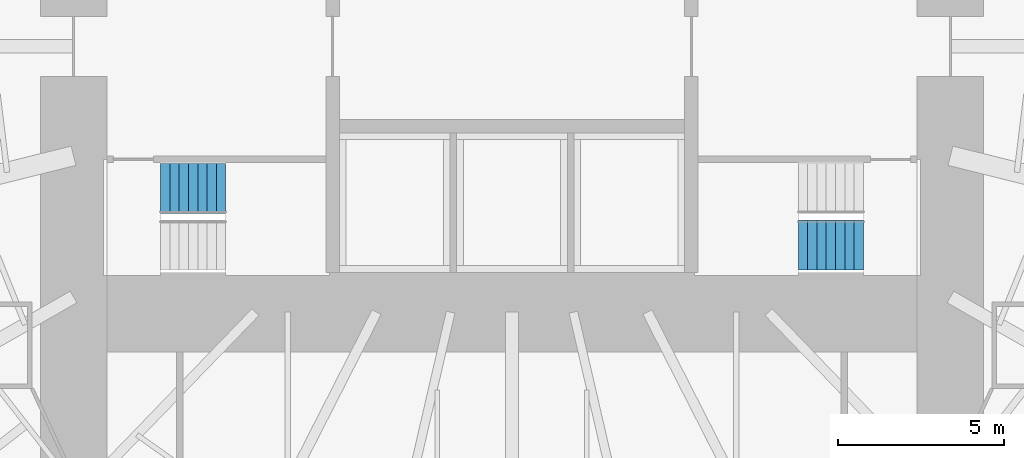
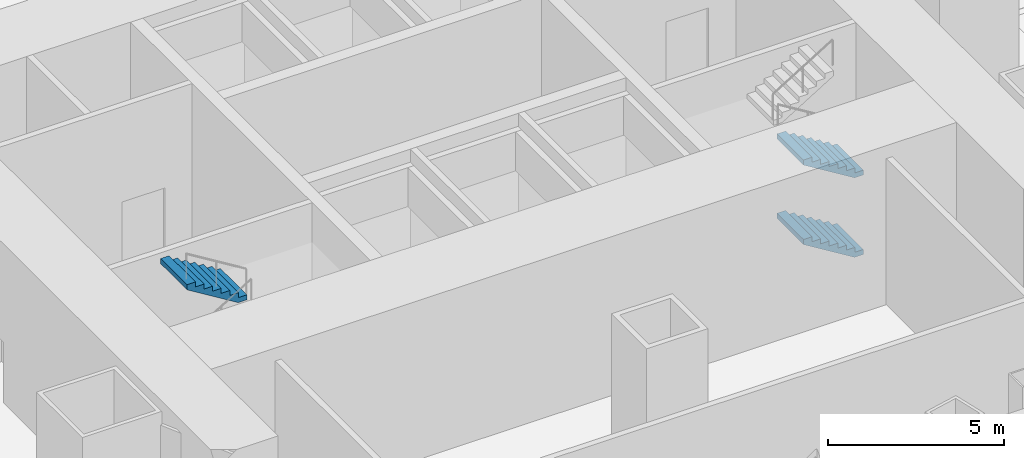
# One storey, part 16 of 19: 3 stair flights, 2 elements without a shape of their own.
"""IFC4 building model written with IfcOpenShell, lengths in metres."""

from ifc_helpers import new_model, si_unit, direction, frame, origin, place, context, subcontext, project, spatial, triangles, material, type_object, element, aggregate, save


model = new_model("IFC4")

# Units and contexts
model_context = context("Model", 3, precision=1e-05, world=origin(), true_north=direction((0.0, 1.0)))
body_context = subcontext(model_context, "Body", "Model", "MODEL_VIEW")
ifc_project = project(units=[si_unit("LENGTHUNIT", "METRE"), si_unit("AREAUNIT", "SQUARE_METRE"), si_unit("VOLUMEUNIT", "CUBIC_METRE"), si_unit("PLANEANGLEUNIT", "RADIAN"), si_unit("MASSUNIT", "GRAM", prefix="KILO")], contexts=[model_context])

# Site, building, storey
site_placement = place(None, origin())
site = spatial("IfcSite", under=ifc_project, at=site_placement, CompositionType="ELEMENT")
building_placement = place(site_placement, origin())
building = spatial("IfcBuilding", under=site, at=building_placement, Name="Lantaw Convention Tower", CompositionType="ELEMENT")
storey_placement = place(building_placement, frame((0.0, 0.0, -5.5)))
storey = spatial("IfcBuildingStorey", under=building, at=storey_placement, Name="B1", CompositionType="ELEMENT", Elevation=-5.5)

# Stair, stair flight
ifc_material = material(Name="Concrete C35/45", Category="concrete")
stair_type = type_object("IfcStairType", Name="Exit stair 1500 riser 171.88 in 4 flights", PredefinedType="HALF_TURN_STAIR", material=ifc_material)
stair_1_placement = place(storey_placement, origin())
stair_1 = element("IfcStair", 1, at=stair_1_placement, inside=storey, type_object=stair_type, Name="Exit stair S1 B1", PredefinedType="HALF_TURN_STAIR")
stair_flight_type = type_object("IfcStairFlightType", Name="Stair flight 1500 riser 171.88", PredefinedType="STRAIGHT", material=ifc_material)
stair_flight_1_placement = place(storey_placement, frame((-8.6201171875, -4.280029296875, 4.125), z_axis=(0.0, 0.0, 1.0), x_axis=(-1.0, 0.0, 0.0)))
stair_flight_1 = element("IfcStairFlight", 2, at=stair_flight_1_placement, type_object=stair_flight_type, Name="S1 flight 4", NumberOfRisers=8, NumberOfTreads=7, PredefinedType="STRAIGHT", RiserHeight=0.171875, TreadLength=0.28, context=body_context, shape_type="Tessellation", body=[
    triangles([(0.0, 0.75, 0.0), (0.0, 0.75, 0.171875), (0.28, 0.75, 0.0), (0.28, 0.75, 0.171875), (0.28, 0.75, 0.34375), (0.286542444818223, 0.75, 0.0), (0.286542444818223, 0.75, 0.34375), (0.56, 0.75, 0.1678589903459569), (0.56, 0.75, 0.34375), (0.56, 0.75, 0.515625), (0.8400000000000001, 0.75, 0.3397339903459569), (0.8400000000000001, 0.75, 0.515625), (0.8400000000000001, 0.75, 0.6875), (1.12, 0.75, 0.511608990345957), (1.12, 0.75, 0.6875), (1.12, 0.75, 0.859375), (1.4000000000000001, 0.75, 0.683483990345957), (1.4000000000000001, 0.75, 0.859375), (1.4000000000000001, 0.75, 1.03125), (1.6800000000000002, 0.75, 0.855358990345957), (1.6800000000000002, 0.75, 1.03125), (1.6800000000000002, 0.75, 1.203125), (1.9600000000000002, 0.75, 1.0272339903459569), (1.9600000000000002, 0.75, 1.203125), (0.0, -0.75, 0.0), (0.0, -0.75, 0.171875), (0.28, -0.75, 0.0), (0.28, -0.75, 0.171875), (0.28, -0.75, 0.34375), (0.286542444818223, -0.75, 0.0), (0.286542444818223, -0.75, 0.34375), (0.56, -0.75, 0.1678589903459569), (0.56, -0.75, 0.34375), (0.56, -0.75, 0.515625), (0.8400000000000001, -0.75, 0.3397339903459569), (0.8400000000000001, -0.75, 0.515625), (0.8400000000000001, -0.75, 0.6875), (1.12, -0.75, 0.511608990345957), (1.12, -0.75, 0.6875), (1.12, -0.75, 0.859375), (1.4000000000000001, -0.75, 0.683483990345957), (1.4000000000000001, -0.75, 0.859375), (1.4000000000000001, -0.75, 1.03125), (1.6800000000000002, -0.75, 0.855358990345957), (1.6800000000000002, -0.75, 1.03125), (1.6800000000000002, -0.75, 1.203125), (1.9600000000000002, -0.75, 1.0272339903459569), (1.9600000000000002, -0.75, 1.203125), (0.0, 0.15000000000000002, 0.171875), (0.0, 0.15000000000000002, 0.0), (0.0, 0.0, 0.171875), (0.0, 0.0, 0.0), (0.0, -0.15000000000000002, 0.171875), (0.0, -0.15000000000000002, 0.0), (0.28, 0.15000000000000002, 0.34375), (0.28, 0.15000000000000002, 0.171875), (0.28, 0.0, 0.34375), (0.28, 0.0, 0.171875), (0.28, -0.15000000000000002, 0.34375), (0.28, -0.15000000000000002, 0.171875), (0.56, 0.15000000000000002, 0.515625), (0.56, 0.15000000000000002, 0.34375), (0.56, 0.0, 0.515625), (0.56, 0.0, 0.34375), (0.56, -0.15000000000000002, 0.515625), (0.56, -0.15000000000000002, 0.34375), (0.8400000000000001, 0.15000000000000002, 0.6875), (0.8400000000000001, 0.15000000000000002, 0.515625), (0.8400000000000001, 0.0, 0.6875), (0.8400000000000001, 0.0, 0.515625), (0.8400000000000001, -0.15000000000000002, 0.6875), (0.8400000000000001, -0.15000000000000002, 0.515625), (1.12, 0.15000000000000002, 0.859375), (1.12, 0.15000000000000002, 0.6875), (1.12, 0.0, 0.859375), (1.12, 0.0, 0.6875), (1.12, -0.15000000000000002, 0.859375), (1.12, -0.15000000000000002, 0.6875), (1.4000000000000001, 0.15000000000000002, 1.03125), (1.4000000000000001, 0.15000000000000002, 0.859375), (1.4000000000000001, 0.0, 1.03125), (1.4000000000000001, 0.0, 0.859375), (1.4000000000000001, -0.15000000000000002, 1.03125), (1.4000000000000001, -0.15000000000000002, 0.859375), (1.6800000000000002, 0.15000000000000002, 1.203125), (1.6800000000000002, 0.15000000000000002, 1.03125), (1.6800000000000002, 0.0, 1.203125), (1.6800000000000002, 0.0, 1.03125), (1.6800000000000002, -0.15000000000000002, 1.203125), (1.6800000000000002, -0.15000000000000002, 1.03125), (0.286542444818223, 0.15000000000000002, 0.34375), (0.286542444818223, 0.0, 0.34375), (0.286542444818223, -0.15000000000000002, 0.34375), (1.9600000000000002, 0.15000000000000002, 1.203125), (1.9600000000000002, 0.0, 1.203125), (1.9600000000000002, -0.15000000000000002, 1.203125), (1.9600000000000002, 0.15000000000000002, 1.0272339903459569), (1.9600000000000002, 0.0, 1.0272339903459569), (1.9600000000000002, -0.15000000000000002, 1.0272339903459569), (1.6800000000000002, 0.15000000000000002, 0.855358990345957), (1.6800000000000002, 0.0, 0.855358990345957), (1.6800000000000002, -0.15000000000000002, 0.855358990345957), (1.4000000000000001, 0.15000000000000002, 0.683483990345957), (1.4000000000000001, 0.0, 0.683483990345957), (1.4000000000000001, -0.15000000000000002, 0.683483990345957), (1.12, 0.15000000000000002, 0.511608990345957), (1.12, 0.0, 0.511608990345957), (1.12, -0.15000000000000002, 0.511608990345957), (0.8400000000000001, 0.15000000000000002, 0.3397339903459569), (0.8400000000000001, 0.0, 0.3397339903459569), (0.8400000000000001, -0.15000000000000002, 0.3397339903459569), (0.56, 0.15000000000000002, 0.1678589903459569), (0.56, 0.0, 0.1678589903459569), (0.56, -0.15000000000000002, 0.1678589903459569), (0.286542444818223, 0.15000000000000002, 0.0), (0.286542444818223, 0.0, 0.0), (0.286542444818223, -0.15000000000000002, 0.0), (0.28, 0.15000000000000002, 0.0), (0.28, 0.0, 0.0), (0.28, -0.15000000000000002, 0.0)], [[1, 4, 3], [1, 2, 4], [3, 4, 6], [4, 7, 6], [4, 5, 7], [6, 9, 8], [6, 7, 9], [8, 9, 11], [9, 12, 11], [9, 10, 12], [11, 12, 14], [12, 15, 14], [12, 13, 15], [14, 15, 17], [15, 18, 17], [15, 16, 18], [17, 18, 20], [18, 21, 20], [18, 19, 21], [20, 21, 23], [21, 24, 23], [21, 22, 24], [25, 27, 28], [25, 28, 26], [27, 30, 28], [28, 30, 31], [28, 31, 29], [30, 32, 33], [30, 33, 31], [32, 35, 33], [33, 35, 36], [33, 36, 34], [35, 38, 36], [36, 38, 39], [36, 39, 37], [38, 41, 39], [39, 41, 42], [39, 42, 40], [41, 44, 42], [42, 44, 45], [42, 45, 43], [44, 47, 45], [45, 47, 48], [45, 48, 46], [1, 49, 2], [1, 50, 49], [50, 51, 49], [50, 52, 51], [52, 53, 51], [52, 54, 53], [54, 26, 53], [54, 25, 26], [4, 55, 5], [4, 56, 55], [56, 57, 55], [56, 58, 57], [58, 59, 57], [58, 60, 59], [60, 29, 59], [60, 28, 29], [9, 61, 10], [9, 62, 61], [62, 63, 61], [62, 64, 63], [64, 65, 63], [64, 66, 65], [66, 34, 65], [66, 33, 34], [12, 67, 13], [12, 68, 67], [68, 69, 67], [68, 70, 69], [70, 71, 69], [70, 72, 71], [72, 37, 71], [72, 36, 37], [15, 73, 16], [15, 74, 73], [74, 75, 73], [74, 76, 75], [76, 77, 75], [76, 78, 77], [78, 40, 77], [78, 39, 40], [18, 79, 19], [18, 80, 79], [80, 81, 79], [80, 82, 81], [82, 83, 81], [82, 84, 83], [84, 43, 83], [84, 42, 43], [21, 85, 22], [21, 86, 85], [86, 87, 85], [86, 88, 87], [88, 89, 87], [88, 90, 89], [90, 46, 89], [90, 45, 46], [2, 56, 4], [2, 49, 56], [49, 58, 56], [49, 51, 58], [51, 60, 58], [51, 53, 60], [53, 28, 60], [53, 26, 28], [5, 91, 7], [5, 55, 91], [55, 92, 91], [55, 57, 92], [57, 93, 92], [57, 59, 93], [59, 31, 93], [59, 29, 31], [7, 62, 9], [7, 91, 62], [91, 64, 62], [91, 92, 64], [92, 66, 64], [92, 93, 66], [93, 33, 66], [93, 31, 33], [10, 68, 12], [10, 61, 68], [61, 70, 68], [61, 63, 70], [63, 72, 70], [63, 65, 72], [65, 36, 72], [65, 34, 36], [13, 74, 15], [13, 67, 74], [67, 76, 74], [67, 69, 76], [69, 78, 76], [69, 71, 78], [71, 39, 78], [71, 37, 39], [16, 80, 18], [16, 73, 80], [73, 82, 80], [73, 75, 82], [75, 84, 82], [75, 77, 84], [77, 42, 84], [77, 40, 42], [19, 86, 21], [19, 79, 86], [79, 88, 86], [79, 81, 88], [81, 90, 88], [81, 83, 90], [83, 45, 90], [83, 43, 45], [22, 94, 24], [22, 85, 94], [85, 95, 94], [85, 87, 95], [87, 96, 95], [87, 89, 96], [89, 48, 96], [89, 46, 48], [24, 97, 23], [24, 94, 97], [94, 98, 97], [94, 95, 98], [95, 99, 98], [95, 96, 99], [96, 47, 99], [96, 48, 47], [23, 100, 20], [23, 97, 100], [97, 101, 100], [97, 98, 101], [98, 102, 101], [98, 99, 102], [99, 44, 102], [99, 47, 44], [20, 103, 17], [20, 100, 103], [100, 104, 103], [100, 101, 104], [101, 105, 104], [101, 102, 105], [102, 41, 105], [102, 44, 41], [17, 106, 14], [17, 103, 106], [103, 107, 106], [103, 104, 107], [104, 108, 107], [104, 105, 108], [105, 38, 108], [105, 41, 38], [14, 109, 11], [14, 106, 109], [106, 110, 109], [106, 107, 110], [107, 111, 110], [107, 108, 111], [108, 35, 111], [108, 38, 35], [11, 112, 8], [11, 109, 112], [109, 113, 112], [109, 110, 113], [110, 114, 113], [110, 111, 114], [111, 32, 114], [111, 35, 32], [8, 115, 6], [8, 112, 115], [112, 116, 115], [112, 113, 116], [113, 117, 116], [113, 114, 117], [114, 30, 117], [114, 32, 30], [6, 118, 3], [6, 115, 118], [115, 119, 118], [115, 116, 119], [116, 120, 119], [116, 117, 120], [117, 27, 120], [117, 30, 27], [3, 50, 1], [3, 118, 50], [118, 52, 50], [118, 119, 52], [119, 54, 52], [119, 120, 54], [120, 25, 54], [120, 27, 25]], closed=True),
])
aggregate(stair_1, [stair_flight_1])

# Stair, stair flights
stair_2_placement = place(storey_placement, origin())
stair_2 = element("IfcStair", 3, at=stair_2_placement, inside=storey, type_object=stair_type, Name="Exit stair S2 B1", PredefinedType="HALF_TURN_STAIR")
stair_flight_2_placement = place(storey_placement, frame((10.580078125, -5.97998046875, 0.0), z_axis=(0.0, 0.0, 1.0), x_axis=(-1.0, 0.0, 0.0)))
stair_flight_2 = element("IfcStairFlight", 4, at=stair_flight_2_placement, type_object=stair_flight_type, Name="S2 flight 1", NumberOfRisers=8, NumberOfTreads=7, PredefinedType="STRAIGHT", RiserHeight=0.171875, TreadLength=0.28, context=body_context, shape_type="Tessellation", body=[
    triangles([(0.0, 0.75, 0.0), (0.0, 0.75, 0.171875), (0.28, 0.75, 0.0), (0.28, 0.75, 0.171875), (0.28, 0.75, 0.34375), (0.286542444818223, 0.75, 0.0), (0.286542444818223, 0.75, 0.34375), (0.56, 0.75, 0.1678589903459569), (0.56, 0.75, 0.34375), (0.56, 0.75, 0.515625), (0.8400000000000001, 0.75, 0.3397339903459569), (0.8400000000000001, 0.75, 0.515625), (0.8400000000000001, 0.75, 0.6875), (1.12, 0.75, 0.511608990345957), (1.12, 0.75, 0.6875), (1.12, 0.75, 0.859375), (1.4000000000000001, 0.75, 0.683483990345957), (1.4000000000000001, 0.75, 0.859375), (1.4000000000000001, 0.75, 1.03125), (1.6800000000000002, 0.75, 0.855358990345957), (1.6800000000000002, 0.75, 1.03125), (1.6800000000000002, 0.75, 1.203125), (1.9600000000000002, 0.75, 1.0272339903459569), (1.9600000000000002, 0.75, 1.203125), (0.0, -0.75, 0.0), (0.0, -0.75, 0.171875), (0.28, -0.75, 0.0), (0.28, -0.75, 0.171875), (0.28, -0.75, 0.34375), (0.286542444818223, -0.75, 0.0), (0.286542444818223, -0.75, 0.34375), (0.56, -0.75, 0.1678589903459569), (0.56, -0.75, 0.34375), (0.56, -0.75, 0.515625), (0.8400000000000001, -0.75, 0.3397339903459569), (0.8400000000000001, -0.75, 0.515625), (0.8400000000000001, -0.75, 0.6875), (1.12, -0.75, 0.511608990345957), (1.12, -0.75, 0.6875), (1.12, -0.75, 0.859375), (1.4000000000000001, -0.75, 0.683483990345957), (1.4000000000000001, -0.75, 0.859375), (1.4000000000000001, -0.75, 1.03125), (1.6800000000000002, -0.75, 0.855358990345957), (1.6800000000000002, -0.75, 1.03125), (1.6800000000000002, -0.75, 1.203125), (1.9600000000000002, -0.75, 1.0272339903459569), (1.9600000000000002, -0.75, 1.203125), (0.0, 0.15000000000000002, 0.171875), (0.0, 0.15000000000000002, 0.0), (0.0, 0.0, 0.171875), (0.0, 0.0, 0.0), (0.0, -0.15000000000000002, 0.171875), (0.0, -0.15000000000000002, 0.0), (0.28, 0.15000000000000002, 0.34375), (0.28, 0.15000000000000002, 0.171875), (0.28, 0.0, 0.34375), (0.28, 0.0, 0.171875), (0.28, -0.15000000000000002, 0.34375), (0.28, -0.15000000000000002, 0.171875), (0.56, 0.15000000000000002, 0.515625), (0.56, 0.15000000000000002, 0.34375), (0.56, 0.0, 0.515625), (0.56, 0.0, 0.34375), (0.56, -0.15000000000000002, 0.515625), (0.56, -0.15000000000000002, 0.34375), (0.8400000000000001, 0.15000000000000002, 0.6875), (0.8400000000000001, 0.15000000000000002, 0.515625), (0.8400000000000001, 0.0, 0.6875), (0.8400000000000001, 0.0, 0.515625), (0.8400000000000001, -0.15000000000000002, 0.6875), (0.8400000000000001, -0.15000000000000002, 0.515625), (1.12, 0.15000000000000002, 0.859375), (1.12, 0.15000000000000002, 0.6875), (1.12, 0.0, 0.859375), (1.12, 0.0, 0.6875), (1.12, -0.15000000000000002, 0.859375), (1.12, -0.15000000000000002, 0.6875), (1.4000000000000001, 0.15000000000000002, 1.03125), (1.4000000000000001, 0.15000000000000002, 0.859375), (1.4000000000000001, 0.0, 1.03125), (1.4000000000000001, 0.0, 0.859375), (1.4000000000000001, -0.15000000000000002, 1.03125), (1.4000000000000001, -0.15000000000000002, 0.859375), (1.6800000000000002, 0.15000000000000002, 1.203125), (1.6800000000000002, 0.15000000000000002, 1.03125), (1.6800000000000002, 0.0, 1.203125), (1.6800000000000002, 0.0, 1.03125), (1.6800000000000002, -0.15000000000000002, 1.203125), (1.6800000000000002, -0.15000000000000002, 1.03125), (0.286542444818223, 0.15000000000000002, 0.34375), (0.286542444818223, 0.0, 0.34375), (0.286542444818223, -0.15000000000000002, 0.34375), (1.9600000000000002, 0.15000000000000002, 1.203125), (1.9600000000000002, 0.0, 1.203125), (1.9600000000000002, -0.15000000000000002, 1.203125), (1.9600000000000002, 0.15000000000000002, 1.0272339903459569), (1.9600000000000002, 0.0, 1.0272339903459569), (1.9600000000000002, -0.15000000000000002, 1.0272339903459569), (1.6800000000000002, 0.15000000000000002, 0.855358990345957), (1.6800000000000002, 0.0, 0.855358990345957), (1.6800000000000002, -0.15000000000000002, 0.855358990345957), (1.4000000000000001, 0.15000000000000002, 0.683483990345957), (1.4000000000000001, 0.0, 0.683483990345957), (1.4000000000000001, -0.15000000000000002, 0.683483990345957), (1.12, 0.15000000000000002, 0.511608990345957), (1.12, 0.0, 0.511608990345957), (1.12, -0.15000000000000002, 0.511608990345957), (0.8400000000000001, 0.15000000000000002, 0.3397339903459569), (0.8400000000000001, 0.0, 0.3397339903459569), (0.8400000000000001, -0.15000000000000002, 0.3397339903459569), (0.56, 0.15000000000000002, 0.1678589903459569), (0.56, 0.0, 0.1678589903459569), (0.56, -0.15000000000000002, 0.1678589903459569), (0.286542444818223, 0.15000000000000002, 0.0), (0.286542444818223, 0.0, 0.0), (0.286542444818223, -0.15000000000000002, 0.0), (0.28, 0.15000000000000002, 0.0), (0.28, 0.0, 0.0), (0.28, -0.15000000000000002, 0.0)], [[1, 4, 3], [1, 2, 4], [3, 4, 6], [4, 7, 6], [4, 5, 7], [6, 9, 8], [6, 7, 9], [8, 9, 11], [9, 12, 11], [9, 10, 12], [11, 12, 14], [12, 15, 14], [12, 13, 15], [14, 15, 17], [15, 18, 17], [15, 16, 18], [17, 18, 20], [18, 21, 20], [18, 19, 21], [20, 21, 23], [21, 24, 23], [21, 22, 24], [25, 27, 28], [25, 28, 26], [27, 30, 28], [28, 30, 31], [28, 31, 29], [30, 32, 33], [30, 33, 31], [32, 35, 33], [33, 35, 36], [33, 36, 34], [35, 38, 36], [36, 38, 39], [36, 39, 37], [38, 41, 39], [39, 41, 42], [39, 42, 40], [41, 44, 42], [42, 44, 45], [42, 45, 43], [44, 47, 45], [45, 47, 48], [45, 48, 46], [1, 49, 2], [1, 50, 49], [50, 51, 49], [50, 52, 51], [52, 53, 51], [52, 54, 53], [54, 26, 53], [54, 25, 26], [4, 55, 5], [4, 56, 55], [56, 57, 55], [56, 58, 57], [58, 59, 57], [58, 60, 59], [60, 29, 59], [60, 28, 29], [9, 61, 10], [9, 62, 61], [62, 63, 61], [62, 64, 63], [64, 65, 63], [64, 66, 65], [66, 34, 65], [66, 33, 34], [12, 67, 13], [12, 68, 67], [68, 69, 67], [68, 70, 69], [70, 71, 69], [70, 72, 71], [72, 37, 71], [72, 36, 37], [15, 73, 16], [15, 74, 73], [74, 75, 73], [74, 76, 75], [76, 77, 75], [76, 78, 77], [78, 40, 77], [78, 39, 40], [18, 79, 19], [18, 80, 79], [80, 81, 79], [80, 82, 81], [82, 83, 81], [82, 84, 83], [84, 43, 83], [84, 42, 43], [21, 85, 22], [21, 86, 85], [86, 87, 85], [86, 88, 87], [88, 89, 87], [88, 90, 89], [90, 46, 89], [90, 45, 46], [2, 56, 4], [2, 49, 56], [49, 58, 56], [49, 51, 58], [51, 60, 58], [51, 53, 60], [53, 28, 60], [53, 26, 28], [5, 91, 7], [5, 55, 91], [55, 92, 91], [55, 57, 92], [57, 93, 92], [57, 59, 93], [59, 31, 93], [59, 29, 31], [7, 62, 9], [7, 91, 62], [91, 64, 62], [91, 92, 64], [92, 66, 64], [92, 93, 66], [93, 33, 66], [93, 31, 33], [10, 68, 12], [10, 61, 68], [61, 70, 68], [61, 63, 70], [63, 72, 70], [63, 65, 72], [65, 36, 72], [65, 34, 36], [13, 74, 15], [13, 67, 74], [67, 76, 74], [67, 69, 76], [69, 78, 76], [69, 71, 78], [71, 39, 78], [71, 37, 39], [16, 80, 18], [16, 73, 80], [73, 82, 80], [73, 75, 82], [75, 84, 82], [75, 77, 84], [77, 42, 84], [77, 40, 42], [19, 86, 21], [19, 79, 86], [79, 88, 86], [79, 81, 88], [81, 90, 88], [81, 83, 90], [83, 45, 90], [83, 43, 45], [22, 94, 24], [22, 85, 94], [85, 95, 94], [85, 87, 95], [87, 96, 95], [87, 89, 96], [89, 48, 96], [89, 46, 48], [24, 97, 23], [24, 94, 97], [94, 98, 97], [94, 95, 98], [95, 99, 98], [95, 96, 99], [96, 47, 99], [96, 48, 47], [23, 100, 20], [23, 97, 100], [97, 101, 100], [97, 98, 101], [98, 102, 101], [98, 99, 102], [99, 44, 102], [99, 47, 44], [20, 103, 17], [20, 100, 103], [100, 104, 103], [100, 101, 104], [101, 105, 104], [101, 102, 105], [102, 41, 105], [102, 44, 41], [17, 106, 14], [17, 103, 106], [103, 107, 106], [103, 104, 107], [104, 108, 107], [104, 105, 108], [105, 38, 108], [105, 41, 38], [14, 109, 11], [14, 106, 109], [106, 110, 109], [106, 107, 110], [107, 111, 110], [107, 108, 111], [108, 35, 111], [108, 38, 35], [11, 112, 8], [11, 109, 112], [109, 113, 112], [109, 110, 113], [110, 114, 113], [110, 111, 114], [111, 32, 114], [111, 35, 32], [8, 115, 6], [8, 112, 115], [112, 116, 115], [112, 113, 116], [113, 117, 116], [113, 114, 117], [114, 30, 117], [114, 32, 30], [6, 118, 3], [6, 115, 118], [115, 119, 118], [115, 116, 119], [116, 120, 119], [116, 117, 120], [117, 27, 120], [117, 30, 27], [3, 50, 1], [3, 118, 50], [118, 52, 50], [118, 119, 52], [119, 54, 52], [119, 120, 54], [120, 25, 54], [120, 27, 25]], closed=True),
])
stair_flight_3_placement = place(storey_placement, frame((10.580078125, -5.97998046875, 2.75), z_axis=(0.0, 0.0, 1.0), x_axis=(-1.0, 0.0, 0.0)))
stair_flight_3 = element("IfcStairFlight", 5, at=stair_flight_3_placement, type_object=stair_flight_type, Name="S2 flight 3", NumberOfRisers=8, NumberOfTreads=7, PredefinedType="STRAIGHT", RiserHeight=0.171875, TreadLength=0.28, context=body_context, shape_type="Tessellation", body=[
    triangles([(0.0, 0.75, 0.0), (0.0, 0.75, 0.171875), (0.28, 0.75, 0.0), (0.28, 0.75, 0.171875), (0.28, 0.75, 0.34375), (0.286542444818223, 0.75, 0.0), (0.286542444818223, 0.75, 0.34375), (0.56, 0.75, 0.1678589903459569), (0.56, 0.75, 0.34375), (0.56, 0.75, 0.515625), (0.8400000000000001, 0.75, 0.3397339903459569), (0.8400000000000001, 0.75, 0.515625), (0.8400000000000001, 0.75, 0.6875), (1.12, 0.75, 0.511608990345957), (1.12, 0.75, 0.6875), (1.12, 0.75, 0.859375), (1.4000000000000001, 0.75, 0.683483990345957), (1.4000000000000001, 0.75, 0.859375), (1.4000000000000001, 0.75, 1.03125), (1.6800000000000002, 0.75, 0.855358990345957), (1.6800000000000002, 0.75, 1.03125), (1.6800000000000002, 0.75, 1.203125), (1.9600000000000002, 0.75, 1.0272339903459569), (1.9600000000000002, 0.75, 1.203125), (0.0, -0.75, 0.0), (0.0, -0.75, 0.171875), (0.28, -0.75, 0.0), (0.28, -0.75, 0.171875), (0.28, -0.75, 0.34375), (0.286542444818223, -0.75, 0.0), (0.286542444818223, -0.75, 0.34375), (0.56, -0.75, 0.1678589903459569), (0.56, -0.75, 0.34375), (0.56, -0.75, 0.515625), (0.8400000000000001, -0.75, 0.3397339903459569), (0.8400000000000001, -0.75, 0.515625), (0.8400000000000001, -0.75, 0.6875), (1.12, -0.75, 0.511608990345957), (1.12, -0.75, 0.6875), (1.12, -0.75, 0.859375), (1.4000000000000001, -0.75, 0.683483990345957), (1.4000000000000001, -0.75, 0.859375), (1.4000000000000001, -0.75, 1.03125), (1.6800000000000002, -0.75, 0.855358990345957), (1.6800000000000002, -0.75, 1.03125), (1.6800000000000002, -0.75, 1.203125), (1.9600000000000002, -0.75, 1.0272339903459569), (1.9600000000000002, -0.75, 1.203125), (0.0, 0.15000000000000002, 0.171875), (0.0, 0.15000000000000002, 0.0), (0.0, 0.0, 0.171875), (0.0, 0.0, 0.0), (0.0, -0.15000000000000002, 0.171875), (0.0, -0.15000000000000002, 0.0), (0.28, 0.15000000000000002, 0.34375), (0.28, 0.15000000000000002, 0.171875), (0.28, 0.0, 0.34375), (0.28, 0.0, 0.171875), (0.28, -0.15000000000000002, 0.34375), (0.28, -0.15000000000000002, 0.171875), (0.56, 0.15000000000000002, 0.515625), (0.56, 0.15000000000000002, 0.34375), (0.56, 0.0, 0.515625), (0.56, 0.0, 0.34375), (0.56, -0.15000000000000002, 0.515625), (0.56, -0.15000000000000002, 0.34375), (0.8400000000000001, 0.15000000000000002, 0.6875), (0.8400000000000001, 0.15000000000000002, 0.515625), (0.8400000000000001, 0.0, 0.6875), (0.8400000000000001, 0.0, 0.515625), (0.8400000000000001, -0.15000000000000002, 0.6875), (0.8400000000000001, -0.15000000000000002, 0.515625), (1.12, 0.15000000000000002, 0.859375), (1.12, 0.15000000000000002, 0.6875), (1.12, 0.0, 0.859375), (1.12, 0.0, 0.6875), (1.12, -0.15000000000000002, 0.859375), (1.12, -0.15000000000000002, 0.6875), (1.4000000000000001, 0.15000000000000002, 1.03125), (1.4000000000000001, 0.15000000000000002, 0.859375), (1.4000000000000001, 0.0, 1.03125), (1.4000000000000001, 0.0, 0.859375), (1.4000000000000001, -0.15000000000000002, 1.03125), (1.4000000000000001, -0.15000000000000002, 0.859375), (1.6800000000000002, 0.15000000000000002, 1.203125), (1.6800000000000002, 0.15000000000000002, 1.03125), (1.6800000000000002, 0.0, 1.203125), (1.6800000000000002, 0.0, 1.03125), (1.6800000000000002, -0.15000000000000002, 1.203125), (1.6800000000000002, -0.15000000000000002, 1.03125), (0.286542444818223, 0.15000000000000002, 0.34375), (0.286542444818223, 0.0, 0.34375), (0.286542444818223, -0.15000000000000002, 0.34375), (1.9600000000000002, 0.15000000000000002, 1.203125), (1.9600000000000002, 0.0, 1.203125), (1.9600000000000002, -0.15000000000000002, 1.203125), (1.9600000000000002, 0.15000000000000002, 1.0272339903459569), (1.9600000000000002, 0.0, 1.0272339903459569), (1.9600000000000002, -0.15000000000000002, 1.0272339903459569), (1.6800000000000002, 0.15000000000000002, 0.855358990345957), (1.6800000000000002, 0.0, 0.855358990345957), (1.6800000000000002, -0.15000000000000002, 0.855358990345957), (1.4000000000000001, 0.15000000000000002, 0.683483990345957), (1.4000000000000001, 0.0, 0.683483990345957), (1.4000000000000001, -0.15000000000000002, 0.683483990345957), (1.12, 0.15000000000000002, 0.511608990345957), (1.12, 0.0, 0.511608990345957), (1.12, -0.15000000000000002, 0.511608990345957), (0.8400000000000001, 0.15000000000000002, 0.3397339903459569), (0.8400000000000001, 0.0, 0.3397339903459569), (0.8400000000000001, -0.15000000000000002, 0.3397339903459569), (0.56, 0.15000000000000002, 0.1678589903459569), (0.56, 0.0, 0.1678589903459569), (0.56, -0.15000000000000002, 0.1678589903459569), (0.286542444818223, 0.15000000000000002, 0.0), (0.286542444818223, 0.0, 0.0), (0.286542444818223, -0.15000000000000002, 0.0), (0.28, 0.15000000000000002, 0.0), (0.28, 0.0, 0.0), (0.28, -0.15000000000000002, 0.0)], [[1, 4, 3], [1, 2, 4], [3, 4, 6], [4, 7, 6], [4, 5, 7], [6, 9, 8], [6, 7, 9], [8, 9, 11], [9, 12, 11], [9, 10, 12], [11, 12, 14], [12, 15, 14], [12, 13, 15], [14, 15, 17], [15, 18, 17], [15, 16, 18], [17, 18, 20], [18, 21, 20], [18, 19, 21], [20, 21, 23], [21, 24, 23], [21, 22, 24], [25, 27, 28], [25, 28, 26], [27, 30, 28], [28, 30, 31], [28, 31, 29], [30, 32, 33], [30, 33, 31], [32, 35, 33], [33, 35, 36], [33, 36, 34], [35, 38, 36], [36, 38, 39], [36, 39, 37], [38, 41, 39], [39, 41, 42], [39, 42, 40], [41, 44, 42], [42, 44, 45], [42, 45, 43], [44, 47, 45], [45, 47, 48], [45, 48, 46], [1, 49, 2], [1, 50, 49], [50, 51, 49], [50, 52, 51], [52, 53, 51], [52, 54, 53], [54, 26, 53], [54, 25, 26], [4, 55, 5], [4, 56, 55], [56, 57, 55], [56, 58, 57], [58, 59, 57], [58, 60, 59], [60, 29, 59], [60, 28, 29], [9, 61, 10], [9, 62, 61], [62, 63, 61], [62, 64, 63], [64, 65, 63], [64, 66, 65], [66, 34, 65], [66, 33, 34], [12, 67, 13], [12, 68, 67], [68, 69, 67], [68, 70, 69], [70, 71, 69], [70, 72, 71], [72, 37, 71], [72, 36, 37], [15, 73, 16], [15, 74, 73], [74, 75, 73], [74, 76, 75], [76, 77, 75], [76, 78, 77], [78, 40, 77], [78, 39, 40], [18, 79, 19], [18, 80, 79], [80, 81, 79], [80, 82, 81], [82, 83, 81], [82, 84, 83], [84, 43, 83], [84, 42, 43], [21, 85, 22], [21, 86, 85], [86, 87, 85], [86, 88, 87], [88, 89, 87], [88, 90, 89], [90, 46, 89], [90, 45, 46], [2, 56, 4], [2, 49, 56], [49, 58, 56], [49, 51, 58], [51, 60, 58], [51, 53, 60], [53, 28, 60], [53, 26, 28], [5, 91, 7], [5, 55, 91], [55, 92, 91], [55, 57, 92], [57, 93, 92], [57, 59, 93], [59, 31, 93], [59, 29, 31], [7, 62, 9], [7, 91, 62], [91, 64, 62], [91, 92, 64], [92, 66, 64], [92, 93, 66], [93, 33, 66], [93, 31, 33], [10, 68, 12], [10, 61, 68], [61, 70, 68], [61, 63, 70], [63, 72, 70], [63, 65, 72], [65, 36, 72], [65, 34, 36], [13, 74, 15], [13, 67, 74], [67, 76, 74], [67, 69, 76], [69, 78, 76], [69, 71, 78], [71, 39, 78], [71, 37, 39], [16, 80, 18], [16, 73, 80], [73, 82, 80], [73, 75, 82], [75, 84, 82], [75, 77, 84], [77, 42, 84], [77, 40, 42], [19, 86, 21], [19, 79, 86], [79, 88, 86], [79, 81, 88], [81, 90, 88], [81, 83, 90], [83, 45, 90], [83, 43, 45], [22, 94, 24], [22, 85, 94], [85, 95, 94], [85, 87, 95], [87, 96, 95], [87, 89, 96], [89, 48, 96], [89, 46, 48], [24, 97, 23], [24, 94, 97], [94, 98, 97], [94, 95, 98], [95, 99, 98], [95, 96, 99], [96, 47, 99], [96, 48, 47], [23, 100, 20], [23, 97, 100], [97, 101, 100], [97, 98, 101], [98, 102, 101], [98, 99, 102], [99, 44, 102], [99, 47, 44], [20, 103, 17], [20, 100, 103], [100, 104, 103], [100, 101, 104], [101, 105, 104], [101, 102, 105], [102, 41, 105], [102, 44, 41], [17, 106, 14], [17, 103, 106], [103, 107, 106], [103, 104, 107], [104, 108, 107], [104, 105, 108], [105, 38, 108], [105, 41, 38], [14, 109, 11], [14, 106, 109], [106, 110, 109], [106, 107, 110], [107, 111, 110], [107, 108, 111], [108, 35, 111], [108, 38, 35], [11, 112, 8], [11, 109, 112], [109, 113, 112], [109, 110, 113], [110, 114, 113], [110, 111, 114], [111, 32, 114], [111, 35, 32], [8, 115, 6], [8, 112, 115], [112, 116, 115], [112, 113, 116], [113, 117, 116], [113, 114, 117], [114, 30, 117], [114, 32, 30], [6, 118, 3], [6, 115, 118], [115, 119, 118], [115, 116, 119], [116, 120, 119], [116, 117, 120], [117, 27, 120], [117, 30, 27], [3, 50, 1], [3, 118, 50], [118, 52, 50], [118, 119, 52], [119, 54, 52], [119, 120, 54], [120, 25, 54], [120, 27, 25]], closed=True),
])
aggregate(stair_2, [stair_flight_2, stair_flight_3])

save(model, "model.ifc")
